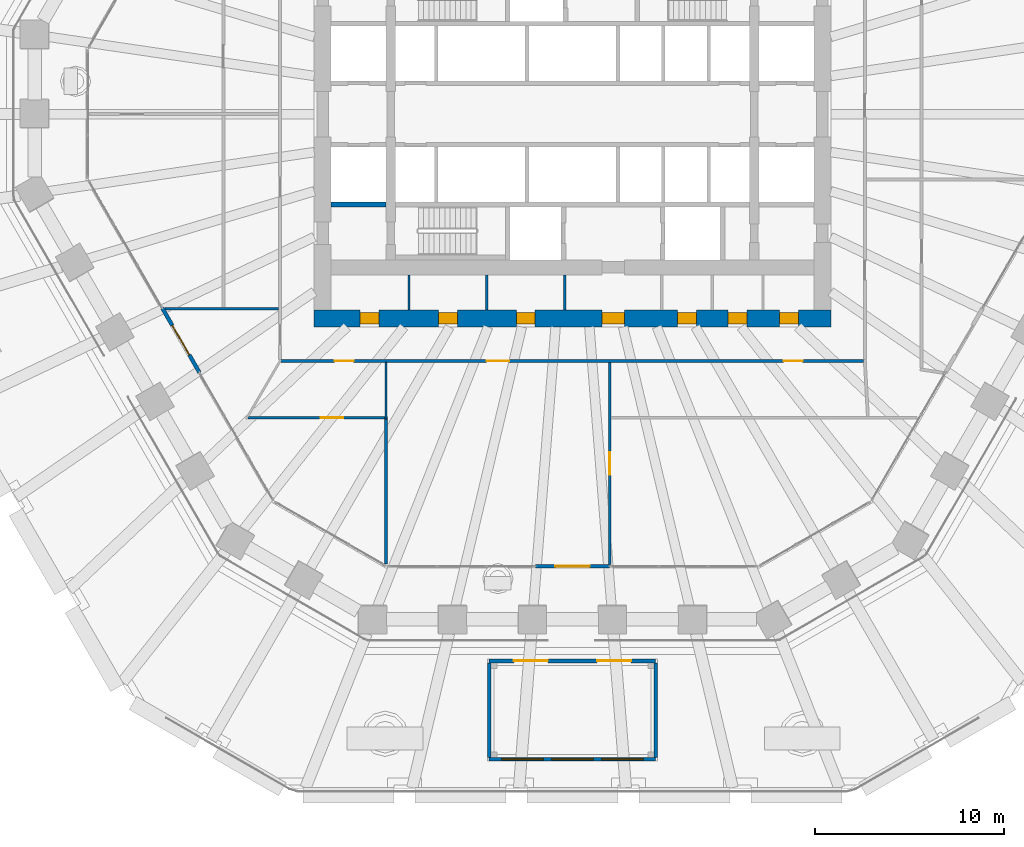
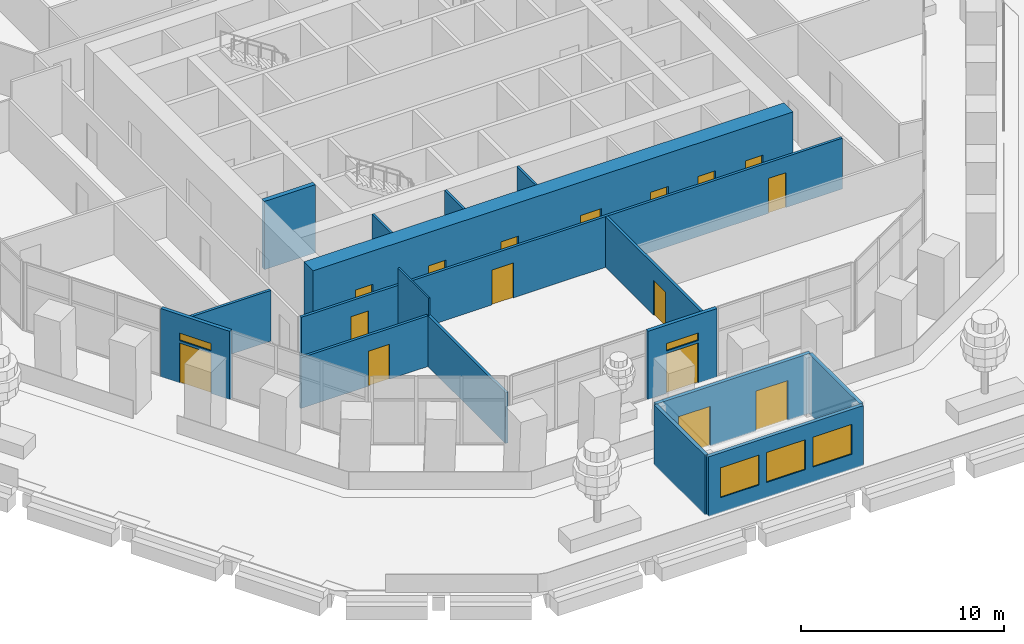
# One storey, part 22 of 32: 17 walls, 16 doors, 5 windows, 21 openings.
"""IFC4 building model written with IfcOpenShell, lengths in metres."""

from ifc_helpers import new_model, si_unit, direction, frame, frame_2d, origin, place, context, subcontext, project, spatial, rectangle, extrude, material, layer, layer_set, type_object, element, fill, save


model = new_model("IFC4")

# Units and contexts
model_context = context("Model", 3, precision=1e-05, world=origin(), true_north=direction((0.0, 1.0)))
body_context = subcontext(model_context, "Body", "Model", "MODEL_VIEW")
ifc_project = project(units=[si_unit("LENGTHUNIT", "METRE"), si_unit("AREAUNIT", "SQUARE_METRE"), si_unit("VOLUMEUNIT", "CUBIC_METRE"), si_unit("PLANEANGLEUNIT", "RADIAN"), si_unit("MASSUNIT", "GRAM", prefix="KILO")], contexts=[model_context])

# Site, building, storey
site_placement = place(None, origin())
site = spatial("IfcSite", under=ifc_project, at=site_placement, CompositionType="ELEMENT")
building_placement = place(site_placement, origin())
building = spatial("IfcBuilding", under=site, at=building_placement, Name="Frailejon Research Tower", CompositionType="ELEMENT")
storey_placement = place(building_placement, frame((0.0, 0.0, 14.60009765625)))
storey = spatial("IfcBuildingStorey", under=building, at=storey_placement, Name="L03", CompositionType="ELEMENT", Elevation=14.60009765625)

# Walls
ifc_material_1 = material(Name="Plasterboard on steel studs", Category="steel")
ifc_layer_1 = layer(ifc_material_1, 0.125)
ifc_layer_set_1 = layer_set([ifc_layer_1], Name="Core partition 125")
wall_type_1 = type_object("IfcWallType", Name="Core partition 125", PredefinedType="PARTITIONING", material=ifc_layer_set_1)
for number, where, z_axis, x_axis, name in (
    (1, (-8.637451171875, -10.35009765625, 0.0), (0.0, 0.0, 1.0), (0.0, 1.0, 0.0), "Core partition"),
    (2, (-4.52490234375, -10.35009765625, 0.0), (0.0, 0.0, 1.0), (0.0, 1.0, 0.0), "Core partition"),
    (3, (-0.41259765625, -10.35009765625, 0.0), (0.0, 0.0, 1.0), (0.0, 1.0, 0.0), "Core partition"),
):
    element("IfcWall", number, at=place(storey_placement, frame(where, z_axis=z_axis, x_axis=x_axis)), inside=storey, type_object=wall_type_1, Name=name, PredefinedType="PARTITIONING", context=body_context, shape_type="SweptSolid", body=[
        extrude(rectangle(XDim=1.85009765625, YDim=0.125, at=frame_2d((0.925048828125, 0.0))), origin(), (0.0, 0.0, 1.0), 4.099853515625),
    ])

# Wall, openings, doors
ifc_material_2 = material(Name="Concrete C70/85", Category="concrete")
ifc_layer_2 = layer(ifc_material_2, 0.89990234375)
ifc_layer_set_2 = layer_set([ifc_layer_2], Name="Core shear wall 900 C70/85")
wall_type_2 = type_object("IfcWallType", Name="Core shear wall 900 C70/85", PredefinedType="SHEAR", material=ifc_layer_set_2)
wall_1_placement = place(storey_placement, frame((-13.64990234375, -10.800048828125, 0.0), z_axis=(0.0, 0.0, 1.0), x_axis=(1.0, 0.0, 0.0)))
wall_1 = element("IfcWall", 4, at=wall_1_placement, inside=storey, type_object=wall_type_2, Name="Core shear wall", PredefinedType="SHEAR", context=body_context, shape_type="SweptSolid", body=[
    extrude(rectangle(XDim=27.2998046875, YDim=0.89990234375, at=frame_2d((13.64990234375, 0.0))), origin(), (0.0, 0.0, 1.0), 4.099853515625),
])
opening_1_placement = place(wall_1_placement, frame((2.425048828125, 0.0, 0.0)))
opening_1 = element("IfcOpeningElement", 5, at=opening_1_placement, cuts=wall_1, Name="Opening D4", PredefinedType="OPENING", context=body_context, shape_type="SweptSolid", body=[
    extrude(rectangle(XDim=1.0, YDim=2.10009765625, at=frame_2d((0.5, 1.050048828125))), frame((0.0, 0.4599609375, 0.0), z_axis=(0.0, -1.0, 0.0), x_axis=(1.0, 0.0, 0.0)), (0.0, 0.0, 1.0), 0.919921875),
])
opening_2_placement = place(wall_1_placement, frame((6.568603515625, 0.0, 0.0)))
opening_2 = element("IfcOpeningElement", 6, at=opening_2_placement, cuts=wall_1, Name="Opening D4", PredefinedType="OPENING", context=body_context, shape_type="SweptSolid", body=[
    extrude(rectangle(XDim=1.0, YDim=2.10009765625, at=frame_2d((0.5, 1.050048828125))), frame((0.0, 0.4599609375, 0.0), z_axis=(0.0, -1.0, 0.0), x_axis=(1.0, 0.0, 0.0)), (0.0, 0.0, 1.0), 0.919921875),
])
opening_3_placement = place(wall_1_placement, frame((10.68115234375, 0.0, 0.0)))
opening_3 = element("IfcOpeningElement", 7, at=opening_3_placement, cuts=wall_1, Name="Opening D4", PredefinedType="OPENING", context=body_context, shape_type="SweptSolid", body=[
    extrude(rectangle(XDim=1.0, YDim=2.10009765625, at=frame_2d((0.5, 1.050048828125))), frame((0.0, 0.4599609375, 0.0), z_axis=(0.0, -1.0, 0.0), x_axis=(1.0, 0.0, 0.0)), (0.0, 0.0, 1.0), 0.919921875),
])
opening_4_placement = place(wall_1_placement, frame((19.2021484375, 0.0, 0.0)))
opening_4 = element("IfcOpeningElement", 8, at=opening_4_placement, cuts=wall_1, Name="Opening D4", PredefinedType="OPENING", context=body_context, shape_type="SweptSolid", body=[
    extrude(rectangle(XDim=1.0, YDim=2.10009765625, at=frame_2d((0.5, 1.050048828125))), frame((0.0, 0.4599609375, 0.0), z_axis=(0.0, -1.0, 0.0), x_axis=(1.0, 0.0, 0.0)), (0.0, 0.0, 1.0), 0.919921875),
])
opening_5_placement = place(wall_1_placement, frame((21.881103515625, 0.0, 0.0)))
opening_5 = element("IfcOpeningElement", 9, at=opening_5_placement, cuts=wall_1, Name="Opening D4", PredefinedType="OPENING", context=body_context, shape_type="SweptSolid", body=[
    extrude(rectangle(XDim=1.0, YDim=2.10009765625, at=frame_2d((0.5, 1.050048828125))), frame((0.0, 0.4599609375, 0.0), z_axis=(0.0, -1.0, 0.0), x_axis=(1.0, 0.0, 0.0)), (0.0, 0.0, 1.0), 0.919921875),
])
opening_6_placement = place(wall_1_placement, frame((24.591796875, 0.0, 0.0)))
opening_6 = element("IfcOpeningElement", 10, at=opening_6_placement, cuts=wall_1, Name="Opening D4", PredefinedType="OPENING", context=body_context, shape_type="SweptSolid", body=[
    extrude(rectangle(XDim=1.0, YDim=2.10009765625, at=frame_2d((0.5, 1.050048828125))), frame((0.0, 0.4599609375, 0.0), z_axis=(0.0, -1.0, 0.0), x_axis=(1.0, 0.0, 0.0)), (0.0, 0.0, 1.0), 0.919921875),
])
opening_7_placement = place(wall_1_placement, frame((15.199951171875, 0.0, 0.0)))
opening_7 = element("IfcOpeningElement", 11, at=opening_7_placement, cuts=wall_1, Name="Opening D3", PredefinedType="OPENING", context=body_context, shape_type="SweptSolid", body=[
    extrude(rectangle(XDim=1.199951171875, YDim=2.10009765625, at=frame_2d((0.60009765625, 1.050048828125))), frame((0.0, 0.4599609375, 0.0), z_axis=(0.0, -1.0, 0.0), x_axis=(1.0, 0.0, 0.0)), (0.0, 0.0, 1.0), 0.919921875),
])
ifc_material_3 = material(Name="Steel", Category="steel")
door_type_1 = type_object("IfcDoorType", Name="Firefighting lobby door", OperationType="SINGLE_SWING_LEFT", PredefinedType="DOOR", material=ifc_material_3)
door_1_placement = place(opening_7_placement, origin())
door_1 = element("IfcDoor", 12, at=door_1_placement, inside=storey, type_object=door_type_1, Name="Passage door", OperationType="SINGLE_SWING_LEFT", OverallHeight=2.10009765625, OverallWidth=1.199951171875, PredefinedType="DOOR", context=body_context, shape_type="SweptSolid", body=[
    extrude(rectangle(XDim=1.199951171875, YDim=2.10009765625, at=frame_2d((0.60009765625, 1.050048828125))), frame((0.0, 0.300048828125, 0.0), z_axis=(0.0, -1.0, 0.0), x_axis=(1.0, 0.0, 0.0)), (0.0, 0.0, 1.0), 0.60009765625),
])
fill(opening_7, door_1)
ifc_material_4 = material(Name="Steel", Category="steel")
door_type_2 = type_object("IfcDoorType", Name="Service door", OperationType="SINGLE_SWING_LEFT", PredefinedType="DOOR", material=ifc_material_4)
door_2_placement = place(opening_1_placement, origin())
door_2 = element("IfcDoor", 13, at=door_2_placement, inside=storey, type_object=door_type_2, Name="Room door", OperationType="SINGLE_SWING_LEFT", OverallHeight=2.10009765625, OverallWidth=1.0, PredefinedType="DOOR", context=body_context, shape_type="SweptSolid", body=[
    extrude(rectangle(XDim=1.0, YDim=2.10009765625, at=frame_2d((0.5, 1.050048828125))), frame((0.0, 0.300048828125, 0.0), z_axis=(0.0, -1.0, 0.0), x_axis=(1.0, 0.0, 0.0)), (0.0, 0.0, 1.0), 0.60009765625),
])
fill(opening_1, door_2)
door_3_placement = place(opening_2_placement, origin())
door_3 = element("IfcDoor", 14, at=door_3_placement, inside=storey, type_object=door_type_2, Name="Room door", OperationType="SINGLE_SWING_RIGHT", OverallHeight=2.10009765625, OverallWidth=1.0, PredefinedType="DOOR", context=body_context, shape_type="SweptSolid", body=[
    extrude(rectangle(XDim=1.0, YDim=2.10009765625, at=frame_2d((0.5, 1.050048828125))), frame((0.0, 0.300048828125, 0.0), z_axis=(0.0, -1.0, 0.0), x_axis=(1.0, 0.0, 0.0)), (0.0, 0.0, 1.0), 0.60009765625),
])
fill(opening_2, door_3)
door_4_placement = place(opening_3_placement, origin())
door_4 = element("IfcDoor", 15, at=door_4_placement, inside=storey, type_object=door_type_2, Name="Room door", OperationType="SINGLE_SWING_LEFT", OverallHeight=2.10009765625, OverallWidth=1.0, PredefinedType="DOOR", context=body_context, shape_type="SweptSolid", body=[
    extrude(rectangle(XDim=1.0, YDim=2.10009765625, at=frame_2d((0.5, 1.050048828125))), frame((0.0, 0.300048828125, 0.0), z_axis=(0.0, -1.0, 0.0), x_axis=(1.0, 0.0, 0.0)), (0.0, 0.0, 1.0), 0.60009765625),
])
fill(opening_3, door_4)
door_5_placement = place(opening_4_placement, origin())
door_5 = element("IfcDoor", 16, at=door_5_placement, inside=storey, type_object=door_type_2, Name="Room door", OperationType="SINGLE_SWING_RIGHT", OverallHeight=2.10009765625, OverallWidth=1.0, PredefinedType="DOOR", context=body_context, shape_type="SweptSolid", body=[
    extrude(rectangle(XDim=1.0, YDim=2.10009765625, at=frame_2d((0.5, 1.050048828125))), frame((0.0, 0.300048828125, 0.0), z_axis=(0.0, -1.0, 0.0), x_axis=(1.0, 0.0, 0.0)), (0.0, 0.0, 1.0), 0.60009765625),
])
fill(opening_4, door_5)
door_6_placement = place(opening_5_placement, origin())
door_6 = element("IfcDoor", 17, at=door_6_placement, inside=storey, type_object=door_type_2, Name="Room door", OperationType="SINGLE_SWING_LEFT", OverallHeight=2.10009765625, OverallWidth=1.0, PredefinedType="DOOR", context=body_context, shape_type="SweptSolid", body=[
    extrude(rectangle(XDim=1.0, YDim=2.10009765625, at=frame_2d((0.5, 1.050048828125))), frame((0.0, 0.300048828125, 0.0), z_axis=(0.0, -1.0, 0.0), x_axis=(1.0, 0.0, 0.0)), (0.0, 0.0, 1.0), 0.60009765625),
])
fill(opening_5, door_6)
door_7_placement = place(opening_6_placement, origin())
door_7 = element("IfcDoor", 18, at=door_7_placement, inside=storey, type_object=door_type_2, Name="Room door", OperationType="SINGLE_SWING_RIGHT", OverallHeight=2.10009765625, OverallWidth=1.0, PredefinedType="DOOR", context=body_context, shape_type="SweptSolid", body=[
    extrude(rectangle(XDim=1.0, YDim=2.10009765625, at=frame_2d((0.5, 1.050048828125))), frame((0.0, 0.300048828125, 0.0), z_axis=(0.0, -1.0, 0.0), x_axis=(1.0, 0.0, 0.0)), (0.0, 0.0, 1.0), 0.60009765625),
])
fill(opening_6, door_7)

ifc_material_5 = material(Name="Gypsum board and masonry partition", Category="masonry")
ifc_layer_3 = layer(ifc_material_5, 0.14990234375)
ifc_layer_set_3 = layer_set([ifc_layer_3], Name="Corridor wall EI 60, gypsum on steel studs 150")
wall_type_3 = type_object("IfcWallType", Name="Corridor wall EI 60, gypsum on steel studs 150", PredefinedType="PARTITIONING", material=ifc_layer_set_3)
wall_2_placement = place(storey_placement, frame((-15.39990234375, -13.050048828125, 0.0), z_axis=(0.0, 0.0, 1.0), x_axis=(1.0, 0.0, 0.0)))
wall_2 = element("IfcWall", 19, at=wall_2_placement, inside=storey, type_object=wall_type_3, Name="T:IW:L03:004", PredefinedType="PARTITIONING", context=body_context, shape_type="SweptSolid", body=[
    extrude(rectangle(XDim=30.77490234375, YDim=0.14990234375, at=frame_2d((15.387451171875, 0.0))), origin(), (0.0, 0.0, 1.0), 3.0498046875),
])
opening_8_placement = place(wall_2_placement, frame((2.830810546875, 0.0, 0.0)))
opening_8 = element("IfcOpeningElement", 20, at=opening_8_placement, cuts=wall_2, Name="Opening D1236", PredefinedType="OPENING", context=body_context, shape_type="SweptSolid", body=[
    extrude(rectangle(XDim=1.0, YDim=2.10009765625, at=frame_2d((0.5, 1.050048828125))), frame((0.0, 0.0849609375, 0.0), z_axis=(0.0, -1.0, 0.0), x_axis=(1.0, 0.0, 0.0)), (0.0, 0.0, 1.0), 0.169921875),
])
opening_9_placement = place(wall_2_placement, frame((10.857421875, 0.0, 0.0)))
opening_9 = element("IfcOpeningElement", 21, at=opening_9_placement, cuts=wall_2, Name="Opening D1238", PredefinedType="OPENING", context=body_context, shape_type="SweptSolid", body=[
    extrude(rectangle(XDim=1.199951171875, YDim=2.10009765625, at=frame_2d((0.60009765625, 1.050048828125))), frame((0.0, 0.0849609375, 0.0), z_axis=(0.0, -1.0, 0.0), x_axis=(1.0, 0.0, 0.0)), (0.0, 0.0, 1.0), 0.169921875),
])
opening_10_placement = place(wall_2_placement, frame((26.555419921875, 0.0, 0.0)))
opening_10 = element("IfcOpeningElement", 22, at=opening_10_placement, cuts=wall_2, Name="Opening D1240", PredefinedType="OPENING", context=body_context, shape_type="SweptSolid", body=[
    extrude(rectangle(XDim=1.0, YDim=2.10009765625, at=frame_2d((0.5, 1.050048828125))), frame((0.0, 0.0849609375, 0.0), z_axis=(0.0, -1.0, 0.0), x_axis=(1.0, 0.0, 0.0)), (0.0, 0.0, 1.0), 0.169921875),
])
ifc_material_6 = material(Name="Timber door leaf", Category="wood")
door_type_3 = type_object("IfcDoorType", Name="Door laboratory, timber, vision panel 1000", OperationType="NOTDEFINED", PredefinedType="DOOR", material=ifc_material_6)
door_8_placement = place(opening_10_placement, origin())
door_8 = element("IfcDoor", 23, at=door_8_placement, inside=storey, type_object=door_type_3, Name="D1240", OperationType="SINGLE_SWING_RIGHT", OverallHeight=2.10009765625, OverallWidth=1.0, PredefinedType="DOOR", context=body_context, shape_type="SweptSolid", body=[
    extrude(rectangle(XDim=1.0, YDim=2.10009765625, at=frame_2d((0.5, 1.050048828125))), frame((0.0, 0.02490234375, 0.0), z_axis=(0.0, -1.0, 0.0), x_axis=(1.0, 0.0, 0.0)), (0.0, 0.0, 1.0), 0.050048828125),
])
fill(opening_10, door_8)
ifc_material_7 = material(Name="Timber door leaf", Category="wood")
door_type_4 = type_object("IfcDoorType", Name="Door single leaf, timber, steel frame 1000", OperationType="NOTDEFINED", PredefinedType="DOOR", material=ifc_material_7)
door_9_placement = place(opening_8_placement, origin())
door_9 = element("IfcDoor", 24, at=door_9_placement, inside=storey, type_object=door_type_4, Name="D1236", OperationType="SINGLE_SWING_LEFT", OverallHeight=2.10009765625, OverallWidth=1.0, PredefinedType="DOOR", context=body_context, shape_type="SweptSolid", body=[
    extrude(rectangle(XDim=1.0, YDim=2.10009765625, at=frame_2d((0.5, 1.050048828125))), frame((0.0, 0.02490234375, 0.0), z_axis=(0.0, -1.0, 0.0), x_axis=(1.0, 0.0, 0.0)), (0.0, 0.0, 1.0), 0.050048828125),
])
fill(opening_8, door_9)
ifc_material_8 = material(Name="Timber door leaf", Category="wood")
door_type_5 = type_object("IfcDoorType", Name="Door single leaf, timber, steel frame 1200", OperationType="NOTDEFINED", PredefinedType="DOOR", material=ifc_material_8)
door_10_placement = place(opening_9_placement, origin())
door_10 = element("IfcDoor", 25, at=door_10_placement, inside=storey, type_object=door_type_5, Name="D1238", OperationType="DOUBLE_DOOR_SINGLE_SWING", OverallHeight=2.10009765625, OverallWidth=1.199951171875, PredefinedType="DOOR", context=body_context, shape_type="SweptSolid", body=[
    extrude(rectangle(XDim=1.199951171875, YDim=2.10009765625, at=frame_2d((0.60009765625, 1.050048828125))), frame((0.0, 0.02490234375, 0.0), z_axis=(0.0, -1.0, 0.0), x_axis=(1.0, 0.0, 0.0)), (0.0, 0.0, 1.0), 0.050048828125),
])
fill(opening_9, door_10)

# Wall
ifc_material_9 = material(Name="Gypsum board and masonry partition", Category="masonry")
ifc_layer_4 = layer(ifc_material_9, 0.14990234375)
ifc_layer_set_4 = layer_set([ifc_layer_4], Name="Laboratory partition, blockwork 150")
wall_type_4 = type_object("IfcWallType", Name="Laboratory partition, blockwork 150", PredefinedType="PARTITIONING", material=ifc_layer_set_4)
wall_3_placement = place(storey_placement, frame((-21.539306640625, -10.292724609375, 0.0), z_axis=(0.0, 0.0, 1.0), x_axis=(1.0, 0.0, 0.0)))
element("IfcWall", 26, at=wall_3_placement, inside=storey, type_object=wall_type_4, Name="T:IW:L03:018", PredefinedType="PARTITIONING", context=body_context, shape_type="SweptSolid", body=[
    extrude(rectangle(XDim=6.014404296875, YDim=0.14990234375, at=frame_2d((3.00732421875, 0.0))), origin(), (0.0, 0.0, 1.0), 3.0498046875),
])

# Wall, opening, door
wall_4_placement = place(storey_placement, frame((-17.15185546875, -16.050048828125, 0.0), z_axis=(0.0, 0.0, 1.0), x_axis=(1.0, 0.0, 0.0)))
wall_4 = element("IfcWall", 27, at=wall_4_placement, inside=storey, type_object=wall_type_4, Name="T:IW:L03:019", PredefinedType="PARTITIONING", context=body_context, shape_type="SweptSolid", body=[
    extrude(rectangle(XDim=7.220458984375, YDim=0.14990234375, at=frame_2d((3.6103515625, 0.0))), origin(), (0.0, 0.0, 1.0), 3.0498046875),
])
opening_11_placement = place(wall_4_placement, frame((3.839599609375, 0.0, 0.0)))
opening_11 = element("IfcOpeningElement", 28, at=opening_11_placement, cuts=wall_4, Name="Opening D1237", PredefinedType="OPENING", context=body_context, shape_type="SweptSolid", body=[
    extrude(rectangle(XDim=1.199951171875, YDim=2.10009765625, at=frame_2d((0.60009765625, 1.050048828125))), frame((0.0, 0.0849609375, 0.0), z_axis=(0.0, -1.0, 0.0), x_axis=(1.0, 0.0, 0.0)), (0.0, 0.0, 1.0), 0.169921875),
])
ifc_material_10 = material(Name="Timber door leaf", Category="wood")
door_type_6 = type_object("IfcDoorType", Name="Door laboratory, timber, vision panel 1200", OperationType="NOTDEFINED", PredefinedType="DOOR", material=ifc_material_10)
door_11_placement = place(opening_11_placement, origin())
door_11 = element("IfcDoor", 29, at=door_11_placement, inside=storey, type_object=door_type_6, Name="D1237", OperationType="DOUBLE_DOOR_SINGLE_SWING", OverallHeight=2.10009765625, OverallWidth=1.199951171875, PredefinedType="DOOR", context=body_context, shape_type="SweptSolid", body=[
    extrude(rectangle(XDim=1.199951171875, YDim=2.10009765625, at=frame_2d((0.60009765625, 1.050048828125))), frame((0.0, 0.02490234375, 0.0), z_axis=(0.0, -1.0, 0.0), x_axis=(1.0, 0.0, 0.0)), (0.0, 0.0, 1.0), 0.050048828125),
])
fill(opening_11, door_11)

# Wall
wall_5_placement = place(storey_placement, frame((-9.8564453125, -23.76904296875, 0.0), z_axis=(0.0, 0.0, 1.0), x_axis=(0.0, 1.0, 0.0)))
element("IfcWall", 30, at=wall_5_placement, inside=storey, type_object=wall_type_4, Name="T:IW:L03:021", PredefinedType="PARTITIONING", context=body_context, shape_type="SweptSolid", body=[
    extrude(rectangle(XDim=7.7939453125, YDim=0.14990234375, at=frame_2d((3.89697265625, 0.0))), origin(), (0.0, 0.0, 1.0), 3.0498046875),
])

# Wall, opening, door
wall_6_placement = place(storey_placement, frame((1.97119140625, -23.800048828125, 0.0), z_axis=(0.0, 0.0, 1.0), x_axis=(0.0, 1.0, 0.0)))
wall_6 = element("IfcWall", 31, at=wall_6_placement, inside=storey, type_object=wall_type_4, Name="T:IW:L03:022", PredefinedType="PARTITIONING", context=body_context, shape_type="SweptSolid", body=[
    extrude(rectangle(XDim=10.675048828125, YDim=0.14990234375, at=frame_2d((5.33740234375, 0.0))), origin(), (0.0, 0.0, 1.0), 3.0498046875),
])
opening_12_placement = place(wall_6_placement, frame((4.737548828125, 0.0, 0.0)))
opening_12 = element("IfcOpeningElement", 32, at=opening_12_placement, cuts=wall_6, Name="Opening D1239", PredefinedType="OPENING", context=body_context, shape_type="SweptSolid", body=[
    extrude(rectangle(XDim=1.199951171875, YDim=2.10009765625, at=frame_2d((0.60009765625, 1.050048828125))), frame((0.0, 0.0849609375, 0.0), z_axis=(0.0, -1.0, 0.0), x_axis=(1.0, 0.0, 0.0)), (0.0, 0.0, 1.0), 0.169921875),
])
door_12_placement = place(opening_12_placement, origin())
door_12 = element("IfcDoor", 33, at=door_12_placement, inside=storey, type_object=door_type_6, Name="D1239", OperationType="DOUBLE_DOOR_SINGLE_SWING", OverallHeight=2.10009765625, OverallWidth=1.199951171875, PredefinedType="DOOR", context=body_context, shape_type="SweptSolid", body=[
    extrude(rectangle(XDim=1.199951171875, YDim=2.10009765625, at=frame_2d((0.60009765625, 1.050048828125))), frame((0.0, 0.02490234375, 0.0), z_axis=(0.0, -1.0, 0.0), x_axis=(1.0, 0.0, 0.0)), (0.0, 0.0, 1.0), 0.050048828125),
])
fill(opening_12, door_12)

# Walls
ifc_material_11 = material(Name="Gypsum board and masonry partition", Category="masonry")
ifc_layer_5 = layer(ifc_material_11, 0.10009765625)
ifc_layer_set_5 = layer_set([ifc_layer_5], Name="Partition, gypsum on steel studs 100")
wall_type_5 = type_object("IfcWallType", Name="Partition, gypsum on steel studs 100", PredefinedType="PARTITIONING", material=ifc_layer_set_5)
wall_7_placement = place(storey_placement, frame((-9.8564453125, -16.125, 0.0), z_axis=(0.0, 0.0, 1.0), x_axis=(0.0, 1.0, 0.0)))
element("IfcWall", 34, at=wall_7_placement, inside=storey, type_object=wall_type_5, Name="T:IW:L03:030", PredefinedType="PARTITIONING", context=body_context, shape_type="SweptSolid", body=[
    extrude(rectangle(XDim=3.0, YDim=0.10009765625, at=frame_2d((1.5, 0.0))), origin(), (0.0, 0.0, 1.0), 4.099853515625),
])
ifc_material_12 = material(Name="Concrete C70/85", Category="concrete")
ifc_layer_6 = layer(ifc_material_12, 0.25)
ifc_layer_set_6 = layer_set([ifc_layer_6], Name="Shaft wall 250 C70/85")
wall_type_6 = type_object("IfcWallType", Name="Shaft wall 250 C70/85", PredefinedType="SOLIDWALL", material=ifc_layer_set_6)
wall_8_placement = place(storey_placement, frame((-12.75, -4.77490234375, 0.0), z_axis=(0.0, 0.0, 1.0), x_axis=(1.0, 0.0, 0.0)))
element("IfcWall", 35, at=wall_8_placement, inside=storey, type_object=wall_type_6, Name="Shaft wall", PredefinedType="SOLIDWALL", context=body_context, shape_type="SweptSolid", body=[
    extrude(rectangle(XDim=2.89990234375, YDim=0.25, at=frame_2d((1.449951171875, 0.0))), origin(), (0.0, 0.0, 1.0), 4.099853515625),
])

# Wall, openings, door, window
ifc_material_13 = material(Name="Concrete C40/50 precast window wall panel", Category="concrete")
ifc_layer_7 = layer(ifc_material_13, 0.199951171875)
ifc_layer_set_7 = layer_set([ifc_layer_7], Name="Window wall 200")
wall_type_7 = type_object("IfcWallType", Name="Window wall 200", PredefinedType="SOLIDWALL", material=ifc_layer_set_7)
wall_9_placement = place(storey_placement, frame((-21.680908203125, -10.24755859375, 0.0), z_axis=(0.0, 0.0, 1.0), x_axis=(0.499985832843, -0.866033583042, 0.0)))
wall_9 = element("IfcWall", 36, at=wall_9_placement, inside=storey, type_object=wall_type_7, Name="Door pier L03", PredefinedType="SOLIDWALL", context=body_context, shape_type="SweptSolid", body=[
    extrude(rectangle(XDim=3.931640625, YDim=0.199951171875, at=frame_2d((1.9658203125, 0.0))), origin(), (0.0, 0.0, 1.0), 4.099853515625),
])
opening_13_placement = place(wall_9_placement, frame((1.06591796875, 0.0, 0.0)))
opening_13 = element("IfcOpeningElement", 37, at=opening_13_placement, cuts=wall_9, Name="Opening LG03-4", PredefinedType="OPENING", context=body_context, shape_type="SweptSolid", body=[
    extrude(rectangle(XDim=1.800048828125, YDim=2.39990234375, at=frame_2d((0.89990234375, 1.199951171875))), frame((0.0, 0.10986328125, 0.0), z_axis=(0.0, -1.0, 0.0), x_axis=(1.0, 0.0, 0.0)), (0.0, 0.0, 1.0), 0.219970703125),
])
opening_14_placement = place(wall_9_placement, frame((1.06591796875, 0.0, 2.550048828125)))
opening_14 = element("IfcOpeningElement", 38, at=opening_14_placement, cuts=wall_9, Name="Opening W1", PredefinedType="OPENING", context=body_context, shape_type="SweptSolid", body=[
    extrude(rectangle(XDim=1.800048828125, YDim=0.449951171875, at=frame_2d((0.89990234375, 0.22509765625))), frame((0.0, 0.10986328125, 0.0), z_axis=(0.0, -1.0, 0.0), x_axis=(1.0, 0.0, 0.0)), (0.0, 0.0, 1.0), 0.219970703125),
])
ifc_material_14 = material(Name="Aluminium framed glazed door leaf", Category="aluminium")
door_type_7 = type_object("IfcDoorType", Name="Loggia door 1800x2400", OperationType="DOUBLE_DOOR_SINGLE_SWING", PredefinedType="DOOR", material=ifc_material_14)
door_13_placement = place(opening_13_placement, origin())
door_13 = element("IfcDoor", 39, at=door_13_placement, inside=storey, type_object=door_type_7, Name="Door LG03-4", OperationType="DOUBLE_DOOR_SINGLE_SWING", OverallHeight=2.39990234375, OverallWidth=1.800048828125, PredefinedType="DOOR", context=body_context, shape_type="SweptSolid", body=[
    extrude(rectangle(XDim=1.800048828125, YDim=2.39990234375, at=frame_2d((0.89990234375, 1.199951171875))), frame((0.0, 0.02490234375, 0.0), z_axis=(0.0, -1.0, 0.0), x_axis=(1.0, 0.0, 0.0)), (0.0, 0.0, 1.0), 0.050048828125),
])
fill(opening_13, door_13)
ifc_material_15 = material(Name="Aluminium framed double glazing", Category="aluminium")
window_type_1 = type_object("IfcWindowType", Name="Window 1800x450", PartitioningType="SINGLE_PANEL", PredefinedType="WINDOW", material=ifc_material_15)
window_1_placement = place(opening_14_placement, origin())
window_1 = element("IfcWindow", 40, at=window_1_placement, inside=storey, type_object=window_type_1, Name="Window L03", OverallHeight=0.449951171875, OverallWidth=1.800048828125, PartitioningType="SINGLE_PANEL", PredefinedType="WINDOW", context=body_context, shape_type="SweptSolid", body=[
    extrude(rectangle(XDim=1.800048828125, YDim=0.449951171875, at=frame_2d((0.89990234375, 0.22509765625))), frame((0.0, 0.030029296875, 0.0), z_axis=(0.0, -1.0, 0.0), x_axis=(1.0, 0.0, 0.0)), (0.0, 0.0, 1.0), 0.06005859375),
])
fill(opening_14, window_1)

wall_10_placement = place(storey_placement, frame((-1.9658203125, -23.89990234375, 0.0), z_axis=(0.0, 0.0, 1.0), x_axis=(1.0, 0.0, 0.0)))
wall_10 = element("IfcWall", 41, at=wall_10_placement, inside=storey, type_object=wall_type_7, Name="Door pier L03", PredefinedType="SOLIDWALL", context=body_context, shape_type="SweptSolid", body=[
    extrude(rectangle(XDim=3.931640625, YDim=0.199951171875, at=frame_2d((1.9658203125, 0.0))), origin(), (0.0, 0.0, 1.0), 4.099853515625),
])
opening_15_placement = place(wall_10_placement, frame((1.06591796875, 0.0, 0.0)))
opening_15 = element("IfcOpeningElement", 42, at=opening_15_placement, cuts=wall_10, Name="Opening LG03-5", PredefinedType="OPENING", context=body_context, shape_type="SweptSolid", body=[
    extrude(rectangle(XDim=1.800048828125, YDim=2.39990234375, at=frame_2d((0.89990234375, 1.199951171875))), frame((0.0, 0.10986328125, 0.0), z_axis=(0.0, -1.0, 0.0), x_axis=(1.0, 0.0, 0.0)), (0.0, 0.0, 1.0), 0.219970703125),
])
opening_16_placement = place(wall_10_placement, frame((1.06591796875, 0.0, 2.550048828125)))
opening_16 = element("IfcOpeningElement", 43, at=opening_16_placement, cuts=wall_10, Name="Opening W1", PredefinedType="OPENING", context=body_context, shape_type="SweptSolid", body=[
    extrude(rectangle(XDim=1.800048828125, YDim=0.449951171875, at=frame_2d((0.89990234375, 0.22509765625))), frame((0.0, 0.10986328125, 0.0), z_axis=(0.0, -1.0, 0.0), x_axis=(1.0, 0.0, 0.0)), (0.0, 0.0, 1.0), 0.219970703125),
])
door_14_placement = place(opening_15_placement, origin())
door_14 = element("IfcDoor", 44, at=door_14_placement, inside=storey, type_object=door_type_7, Name="Door LG03-5", OperationType="DOUBLE_DOOR_SINGLE_SWING", OverallHeight=2.39990234375, OverallWidth=1.800048828125, PredefinedType="DOOR", context=body_context, shape_type="SweptSolid", body=[
    extrude(rectangle(XDim=1.800048828125, YDim=2.39990234375, at=frame_2d((0.89990234375, 1.199951171875))), frame((0.0, 0.02490234375, 0.0), z_axis=(0.0, -1.0, 0.0), x_axis=(1.0, 0.0, 0.0)), (0.0, 0.0, 1.0), 0.050048828125),
])
fill(opening_15, door_14)
window_2_placement = place(opening_16_placement, origin())
window_2 = element("IfcWindow", 45, at=window_2_placement, inside=storey, type_object=window_type_1, Name="Window L03", OverallHeight=0.449951171875, OverallWidth=1.800048828125, PartitioningType="SINGLE_PANEL", PredefinedType="WINDOW", context=body_context, shape_type="SweptSolid", body=[
    extrude(rectangle(XDim=1.800048828125, YDim=0.449951171875, at=frame_2d((0.89990234375, 0.22509765625))), frame((0.0, 0.030029296875, 0.0), z_axis=(0.0, -1.0, 0.0), x_axis=(1.0, 0.0, 0.0)), (0.0, 0.0, 1.0), 0.06005859375),
])
fill(opening_16, window_2)

# Wall, openings, doors
wall_11_placement = place(storey_placement, frame((-4.39990234375, -28.89990234375, 0.0), z_axis=(0.0, 0.0, 1.0), x_axis=(1.0, 0.0, 0.0)))
wall_11 = element("IfcWall", 46, at=wall_11_placement, inside=storey, type_object=wall_type_7, Name="Garden pavilion wall L03", PredefinedType="SOLIDWALL", context=body_context, shape_type="SweptSolid", body=[
    extrude(rectangle(XDim=8.7998046875, YDim=0.199951171875, at=frame_2d((4.39990234375, 0.0))), origin(), (0.0, 0.0, 1.0), 3.599853515625),
])
opening_17_placement = place(wall_11_placement, frame((1.300048828125, 0.0, 0.0)))
opening_17 = element("IfcOpeningElement", 47, at=opening_17_placement, cuts=wall_11, Name="Opening GP03-2A", PredefinedType="OPENING", context=body_context, shape_type="SweptSolid", body=[
    extrude(rectangle(XDim=1.800048828125, YDim=2.39990234375, at=frame_2d((0.89990234375, 1.199951171875))), frame((0.0, 0.10986328125, 0.0), z_axis=(0.0, -1.0, 0.0), x_axis=(1.0, 0.0, 0.0)), (0.0, 0.0, 1.0), 0.219970703125),
])
opening_18_placement = place(wall_11_placement, frame((5.699951171875, 0.0, 0.0)))
opening_18 = element("IfcOpeningElement", 48, at=opening_18_placement, cuts=wall_11, Name="Opening GP03-2B", PredefinedType="OPENING", context=body_context, shape_type="SweptSolid", body=[
    extrude(rectangle(XDim=1.800048828125, YDim=2.39990234375, at=frame_2d((0.89990234375, 1.199951171875))), frame((0.0, 0.10986328125, 0.0), z_axis=(0.0, -1.0, 0.0), x_axis=(1.0, 0.0, 0.0)), (0.0, 0.0, 1.0), 0.219970703125),
])
ifc_material_16 = material(Name="Aluminium framed glazed door leaf", Category="aluminium")
door_type_8 = type_object("IfcDoorType", Name="Terrace door 1800x2400", OperationType="DOUBLE_DOOR_SINGLE_SWING", PredefinedType="DOOR", material=ifc_material_16)
door_15_placement = place(opening_17_placement, origin())
door_15 = element("IfcDoor", 49, at=door_15_placement, inside=storey, type_object=door_type_8, Name="Door GP03-2A", OperationType="DOUBLE_DOOR_SINGLE_SWING", OverallHeight=2.39990234375, OverallWidth=1.800048828125, PredefinedType="DOOR", context=body_context, shape_type="SweptSolid", body=[
    extrude(rectangle(XDim=1.800048828125, YDim=2.39990234375, at=frame_2d((0.89990234375, 1.199951171875))), frame((0.0, 0.02490234375, 0.0), z_axis=(0.0, -1.0, 0.0), x_axis=(1.0, 0.0, 0.0)), (0.0, 0.0, 1.0), 0.050048828125),
])
fill(opening_17, door_15)
door_16_placement = place(opening_18_placement, origin())
door_16 = element("IfcDoor", 50, at=door_16_placement, inside=storey, type_object=door_type_8, Name="Door GP03-2B", OperationType="DOUBLE_DOOR_SINGLE_SWING", OverallHeight=2.39990234375, OverallWidth=1.800048828125, PredefinedType="DOOR", context=body_context, shape_type="SweptSolid", body=[
    extrude(rectangle(XDim=1.800048828125, YDim=2.39990234375, at=frame_2d((0.89990234375, 1.199951171875))), frame((0.0, 0.02490234375, 0.0), z_axis=(0.0, -1.0, 0.0), x_axis=(1.0, 0.0, 0.0)), (0.0, 0.0, 1.0), 0.050048828125),
])
fill(opening_18, door_16)

# Wall
wall_12_placement = place(storey_placement, frame((4.39990234375, -29.0, 0.0), z_axis=(0.0, 0.0, 1.0), x_axis=(0.0, -1.0, 0.0)))
element("IfcWall", 51, at=wall_12_placement, inside=storey, type_object=wall_type_7, Name="Garden pavilion wall L03", PredefinedType="SOLIDWALL", context=body_context, shape_type="SweptSolid", body=[
    extrude(rectangle(XDim=5.0, YDim=0.199951171875, at=frame_2d((2.5, 0.0))), origin(), (0.0, 0.0, 1.0), 3.599853515625),
])

# Wall, openings, windows
wall_13_placement = place(storey_placement, frame((4.39990234375, -34.10009765625, 0.0), z_axis=(0.0, 0.0, 1.0), x_axis=(-1.0, 0.0, 0.0)))
wall_13 = element("IfcWall", 52, at=wall_13_placement, inside=storey, type_object=wall_type_7, Name="Garden pavilion wall L03", PredefinedType="SOLIDWALL", context=body_context, shape_type="SweptSolid", body=[
    extrude(rectangle(XDim=8.7998046875, YDim=0.199951171875, at=frame_2d((4.39990234375, 0.0))), origin(), (0.0, 0.0, 1.0), 3.599853515625),
])
opening_19_placement = place(wall_13_placement, frame((0.659912109375, 0.0, 0.89990234375)))
opening_19 = element("IfcOpeningElement", 53, at=opening_19_placement, cuts=wall_13, Name="Opening W2", PredefinedType="OPENING", context=body_context, shape_type="SweptSolid", body=[
    extrude(rectangle(XDim=2.199951171875, YDim=1.800048828125, at=frame_2d((1.10009765625, 0.89990234375))), frame((0.0, 0.10986328125, 0.0), z_axis=(0.0, -1.0, 0.0), x_axis=(1.0, 0.0, 0.0)), (0.0, 0.0, 1.0), 0.219970703125),
])
opening_20_placement = place(wall_13_placement, frame((3.300048828125, 0.0, 0.89990234375)))
opening_20 = element("IfcOpeningElement", 54, at=opening_20_placement, cuts=wall_13, Name="Opening W2", PredefinedType="OPENING", context=body_context, shape_type="SweptSolid", body=[
    extrude(rectangle(XDim=2.199951171875, YDim=1.800048828125, at=frame_2d((1.10009765625, 0.89990234375))), frame((0.0, 0.10986328125, 0.0), z_axis=(0.0, -1.0, 0.0), x_axis=(1.0, 0.0, 0.0)), (0.0, 0.0, 1.0), 0.219970703125),
])
opening_21_placement = place(wall_13_placement, frame((5.93994140625, 0.0, 0.89990234375)))
opening_21 = element("IfcOpeningElement", 55, at=opening_21_placement, cuts=wall_13, Name="Opening W2", PredefinedType="OPENING", context=body_context, shape_type="SweptSolid", body=[
    extrude(rectangle(XDim=2.199951171875, YDim=1.800048828125, at=frame_2d((1.10009765625, 0.89990234375))), frame((0.0, 0.10986328125, 0.0), z_axis=(0.0, -1.0, 0.0), x_axis=(1.0, 0.0, 0.0)), (0.0, 0.0, 1.0), 0.219970703125),
])
ifc_material_17 = material(Name="Aluminium framed double glazing", Category="aluminium")
window_type_2 = type_object("IfcWindowType", Name="Window 2200x1800", PartitioningType="SINGLE_PANEL", PredefinedType="WINDOW", material=ifc_material_17)
window_3_placement = place(opening_19_placement, origin())
window_3 = element("IfcWindow", 56, at=window_3_placement, inside=storey, type_object=window_type_2, Name="Window L03", OverallHeight=1.800048828125, OverallWidth=2.199951171875, PartitioningType="SINGLE_PANEL", PredefinedType="WINDOW", context=body_context, shape_type="SweptSolid", body=[
    extrude(rectangle(XDim=2.199951171875, YDim=1.800048828125, at=frame_2d((1.10009765625, 0.89990234375))), frame((0.0, 0.030029296875, 0.0), z_axis=(0.0, -1.0, 0.0), x_axis=(1.0, 0.0, 0.0)), (0.0, 0.0, 1.0), 0.06005859375),
])
fill(opening_19, window_3)
window_4_placement = place(opening_20_placement, origin())
window_4 = element("IfcWindow", 57, at=window_4_placement, inside=storey, type_object=window_type_2, Name="Window L03", OverallHeight=1.800048828125, OverallWidth=2.199951171875, PartitioningType="SINGLE_PANEL", PredefinedType="WINDOW", context=body_context, shape_type="SweptSolid", body=[
    extrude(rectangle(XDim=2.199951171875, YDim=1.800048828125, at=frame_2d((1.10009765625, 0.89990234375))), frame((0.0, 0.030029296875, 0.0), z_axis=(0.0, -1.0, 0.0), x_axis=(1.0, 0.0, 0.0)), (0.0, 0.0, 1.0), 0.06005859375),
])
fill(opening_20, window_4)
window_5_placement = place(opening_21_placement, origin())
window_5 = element("IfcWindow", 58, at=window_5_placement, inside=storey, type_object=window_type_2, Name="Window L03", OverallHeight=1.800048828125, OverallWidth=2.199951171875, PartitioningType="SINGLE_PANEL", PredefinedType="WINDOW", context=body_context, shape_type="SweptSolid", body=[
    extrude(rectangle(XDim=2.199951171875, YDim=1.800048828125, at=frame_2d((1.10009765625, 0.89990234375))), frame((0.0, 0.030029296875, 0.0), z_axis=(0.0, -1.0, 0.0), x_axis=(1.0, 0.0, 0.0)), (0.0, 0.0, 1.0), 0.06005859375),
])
fill(opening_21, window_5)

# Wall
wall_14_placement = place(storey_placement, frame((-4.39990234375, -34.0, 0.0), z_axis=(0.0, 0.0, 1.0), x_axis=(0.0, 1.0, 0.0)))
element("IfcWall", 59, at=wall_14_placement, inside=storey, type_object=wall_type_7, Name="Garden pavilion wall L03", PredefinedType="SOLIDWALL", context=body_context, shape_type="SweptSolid", body=[
    extrude(rectangle(XDim=5.0, YDim=0.199951171875, at=frame_2d((2.5, 0.0))), origin(), (0.0, 0.0, 1.0), 3.599853515625),
])

save(model, "model.ifc")
